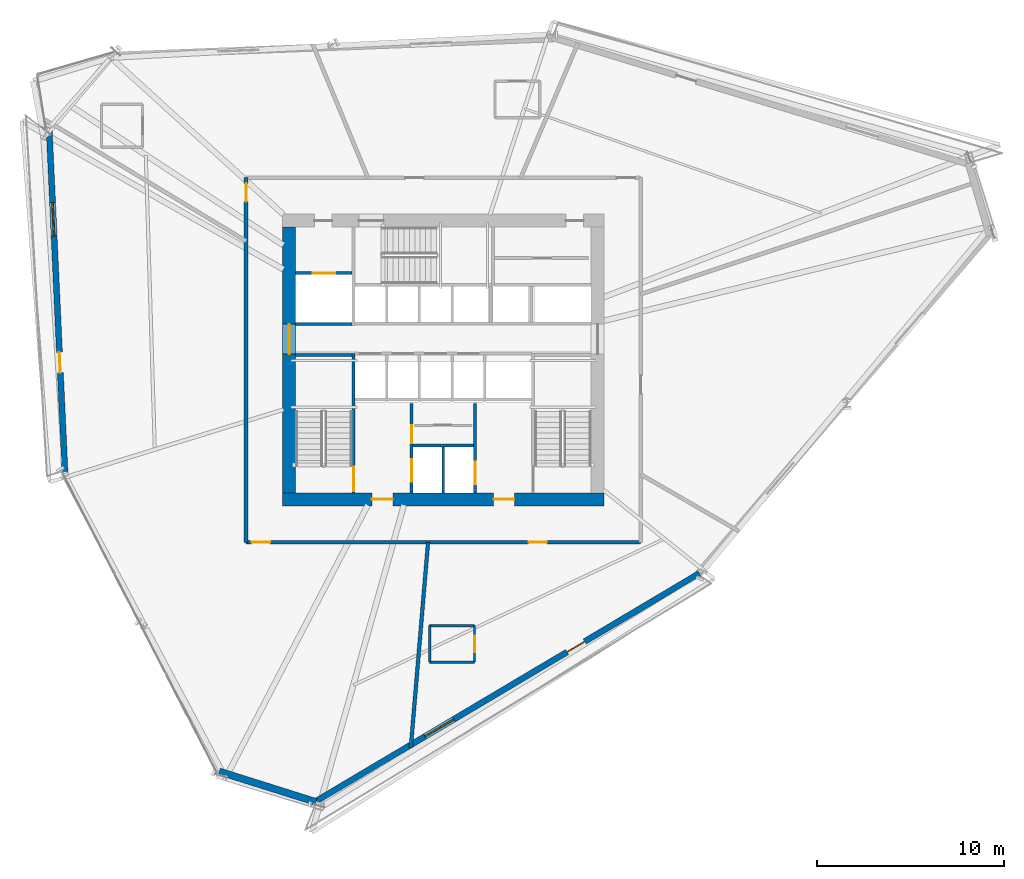
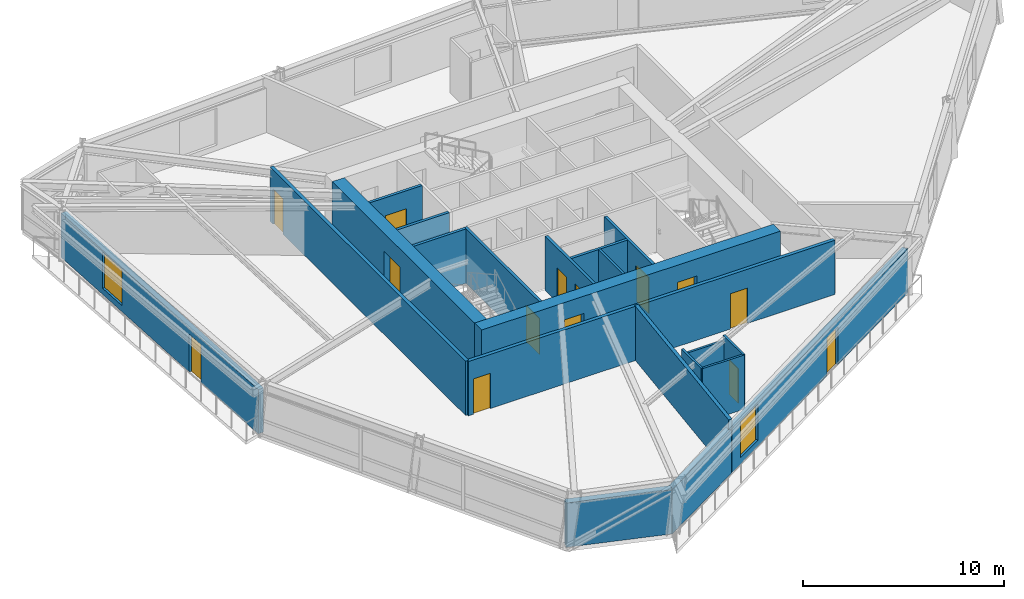
# One storey, part 13 of 19: 20 walls, 14 doors, 2 windows, 16 openings.
"""IFC4 building model written with IfcOpenShell, lengths in metres."""

from ifc_helpers import new_model, si_unit, direction, frame, frame_2d, origin, place, context, subcontext, project, spatial, rectangle, extrude, source, transform, mapped, material, layer, layer_set, type_object, type_shapes, element, fill, save


model = new_model("IFC4")

# Units and contexts
model_context = context("Model", 3, precision=1e-05, world=origin(), true_north=direction((0.0, 1.0)))
body_context = subcontext(model_context, "Body", "Model", "MODEL_VIEW")
ifc_project = project(units=[si_unit("LENGTHUNIT", "METRE"), si_unit("AREAUNIT", "SQUARE_METRE"), si_unit("VOLUMEUNIT", "CUBIC_METRE"), si_unit("PLANEANGLEUNIT", "RADIAN"), si_unit("MASSUNIT", "GRAM", prefix="KILO")], contexts=[model_context])

# Site, building, storey
site_placement = place(None, origin())
site = spatial("IfcSite", under=ifc_project, at=site_placement, CompositionType="ELEMENT")
building_placement = place(site_placement, origin())
building = spatial("IfcBuilding", under=site, at=building_placement, Name="Olszyna Solenne Hotel", CompositionType="ELEMENT")
storey_placement = place(building_placement, frame((0.0, 0.0, 102.14990234375)))
storey = spatial("IfcBuildingStorey", under=building, at=storey_placement, Name="L26", CompositionType="ELEMENT", Elevation=102.14990234375)

# Wall, openings, doors
ifc_material_1 = material(Name="Concrete C60/75", Category="concrete")
ifc_layer_1 = layer(ifc_material_1, 0.699951171875, Name="Concrete C60/75")
ifc_layer_set_1 = layer_set([ifc_layer_1], Name="Concrete C60/75")
wall_type_1 = type_object("IfcWallType", Name="WL-CR700", PredefinedType="SHEAR", material=ifc_layer_set_1)
wall_1_placement = place(storey_placement, frame((46.60009765625, 19.14990234375, 0.0), z_axis=(0.0, 0.0, 1.0), x_axis=(-1.0, 0.0, 0.0)))
wall_1 = element("IfcWall", 1, at=wall_1_placement, inside=storey, type_object=wall_type_1, Name="Core shear wall WL-CR700 CRW-L26-S", PredefinedType="SHEAR", context=body_context, shape_type="SweptSolid", body=[
    extrude(rectangle(XDim=17.2001953125, YDim=0.699951171875, at=frame_2d((8.60009765625, 0.0))), origin(), (0.0, 0.0, 1.0), 3.300048828125),
])
opening_1_placement = place(wall_1_placement, frame((4.800048828125, 0.0, 0.0)))
opening_1 = element("IfcOpeningElement", 2, at=opening_1_placement, cuts=wall_1, Name="Opening FL-L26-1", PredefinedType="OPENING", context=body_context, shape_type="SweptSolid", body=[
    extrude(rectangle(XDim=1.1201171875, YDim=2.25, at=frame_2d((0.56005859375, 1.125))), frame((0.0, 0.35986328125, 0.0), z_axis=(0.0, -1.0, 0.0), x_axis=(1.0, 0.0, 0.0)), (0.0, 0.0, 1.0), 0.719970703125),
])
opening_2_placement = place(wall_1_placement, frame((11.300048828125, 0.0, 0.0)))
opening_2 = element("IfcOpeningElement", 3, at=opening_2_placement, cuts=wall_1, Name="Opening FL-L26-2", PredefinedType="OPENING", context=body_context, shape_type="SweptSolid", body=[
    extrude(rectangle(XDim=1.1201171875, YDim=2.25, at=frame_2d((0.56005859375, 1.125))), frame((0.0, 0.35986328125, 0.0), z_axis=(0.0, -1.0, 0.0), x_axis=(1.0, 0.0, 0.0)), (0.0, 0.0, 1.0), 0.719970703125),
])
ifc_material_2 = material(Name="Steel S355J2", Category="steel")
door_type_1 = type_object("IfcDoorType", Name="DR-FL1", OperationType="NOTDEFINED", PredefinedType="DOOR", material=ifc_material_2)
shared_shape_1 = source(origin(), body_context, "Body", "SweptSolid", [
    extrude(rectangle(XDim=1.1201171875, YDim=2.25, at=frame_2d((0.56005859375, 1.125))), frame((0.0, 0.02490234375, 0.0), z_axis=(0.0, -1.0, 0.0), x_axis=(1.0, 0.0, 0.0)), (0.0, 0.0, 1.0), 0.050048828125),
])
type_shapes(door_type_1, [shared_shape_1])
door_1_placement = place(opening_1_placement, origin())
door_1 = element("IfcDoor", 4, at=door_1_placement, inside=storey, type_object=door_type_1, Name="Firefighting lift lobby smoke door FL-L26-1", OperationType="SINGLE_SWING_LEFT", OverallHeight=2.25, OverallWidth=1.1201171875, PredefinedType="DOOR", context=body_context, shape_type="MappedRepresentation", body=[
    mapped(shared_shape_1, transform((0.0, 0.0, 0.0), x_axis=(1.0, 0.0, 0.0), y_axis=(0.0, 1.0, 0.0), z_axis=(0.0, 0.0, 1.0), scale=1.0)),
])
fill(opening_1, door_1)
door_2_placement = place(opening_2_placement, origin())
door_2 = element("IfcDoor", 5, at=door_2_placement, inside=storey, type_object=door_type_1, Name="Firefighting lift lobby smoke door FL-L26-2", OperationType="SINGLE_SWING_RIGHT", OverallHeight=2.25, OverallWidth=1.1201171875, PredefinedType="DOOR", context=body_context, shape_type="MappedRepresentation", body=[
    mapped(shared_shape_1, transform((0.0, 0.0, 0.0), x_axis=(1.0, 0.0, 0.0), y_axis=(0.0, 1.0, 0.0), z_axis=(0.0, 0.0, 1.0), scale=1.0)),
])
fill(opening_2, door_2)

# Wall, opening, door
wall_2_placement = place(storey_placement, frame((29.75, 19.5, 0.0), z_axis=(0.0, 0.0, 1.0), x_axis=(0.0, 1.0, 0.0)))
wall_2 = element("IfcWall", 6, at=wall_2_placement, inside=storey, type_object=wall_type_1, Name="Core shear wall WL-CR700 CRW-L26-W", PredefinedType="SHEAR", context=body_context, shape_type="SweptSolid", body=[
    extrude(rectangle(XDim=14.199951171875, YDim=0.699951171875, at=frame_2d((7.10009765625, 0.0))), origin(), (0.0, 0.0, 1.0), 3.300048828125),
])
opening_3_placement = place(wall_2_placement, frame((7.419921875, 0.0, 0.0)))
opening_3 = element("IfcOpeningElement", 7, at=opening_3_placement, cuts=wall_2, Name="Opening LHD-L26-W", PredefinedType="OPENING", context=body_context, shape_type="SweptSolid", body=[
    extrude(rectangle(XDim=1.60009765625, YDim=2.199951171875, at=frame_2d((0.800048828125, 1.10009765625))), frame((0.0, 0.35986328125, 0.0), z_axis=(0.0, -1.0, 0.0), x_axis=(1.0, 0.0, 0.0)), (0.0, 0.0, 1.0), 0.719970703125),
])
ifc_material_3 = material(Name="Timber hardwood", Category="wood")
door_type_2 = type_object("IfcDoorType", Name="DR-CR1", OperationType="DOUBLE_DOOR_SINGLE_SWING", PredefinedType="DOOR", material=ifc_material_3)
shared_shape_2 = source(origin(), body_context, "Body", "SweptSolid", [
    extrude(rectangle(XDim=1.60009765625, YDim=2.199951171875, at=frame_2d((0.800048828125, 1.10009765625))), frame((0.0, 0.02490234375, 0.0), z_axis=(0.0, -1.0, 0.0), x_axis=(1.0, 0.0, 0.0)), (0.0, 0.0, 1.0), 0.050048828125),
])
type_shapes(door_type_2, [shared_shape_2])
door_3_placement = place(opening_3_placement, origin())
door_3 = element("IfcDoor", 8, at=door_3_placement, inside=storey, type_object=door_type_2, Name="Passenger lift lobby West fire door LHD-L26-W", OperationType="DOUBLE_DOOR_SINGLE_SWING", OverallHeight=2.199951171875, OverallWidth=1.60009765625, PredefinedType="DOOR", context=body_context, shape_type="MappedRepresentation", body=[
    mapped(shared_shape_2, transform((0.0, 0.0, 0.0), x_axis=(1.0, 0.0, 0.0), y_axis=(0.0, 1.0, 0.0), z_axis=(0.0, 0.0, 1.0), scale=1.0)),
])
fill(opening_3, door_3)

# Wall, openings, door, window
ifc_material_4 = material(Name="Precast concrete C45/55", Category="concrete")
ifc_layer_2 = layer(ifc_material_4, 0.320068359375, Name="Precast concrete C45/55")
ifc_layer_set_2 = layer_set([ifc_layer_2], Name="Precast concrete C45/55")
wall_type_2 = type_object("IfcWallType", Name="WL-EX320", PredefinedType="SOLIDWALL", material=ifc_layer_set_2)
wall_3_placement = place(storey_placement, frame((51.69140625, 15.19384765625, 0.0), z_axis=(0.0, 0.0, 1.0), x_axis=(-0.859633504472, -0.510911184052, 0.0)))
wall_3 = element("IfcWall", 9, at=wall_3_placement, inside=storey, type_object=wall_type_2, Name="Exterior terracotta-precast frame wall WL-EX320 EW-L26-01", PredefinedType="SOLIDWALL", context=body_context, shape_type="SweptSolid", body=[
    extrude(rectangle(XDim=24.018310546875, YDim=0.320068359375, at=frame_2d((12.00927734375, 0.0))), origin(), (0.0, 0.0, 1.0), 2.692138671875),
])
opening_4_placement = place(wall_3_placement, frame((7.135986328125, 0.0, 0.0)))
opening_4 = element("IfcOpeningElement", 10, at=opening_4_placement, cuts=wall_3, Name="Opening LDG-L26-3", PredefinedType="OPENING", context=body_context, shape_type="SweptSolid", body=[
    extrude(rectangle(XDim=1.10009765625, YDim=2.300048828125, at=frame_2d((0.550048828125, 1.14990234375))), frame((0.0, 0.169921875, 0.0), z_axis=(0.0, -1.0, 0.0), x_axis=(1.0, 0.0, 0.0)), (0.0, 0.0, 1.0), 0.340087890625),
])
opening_5_placement = place(wall_3_placement, frame((15.27392578125, 0.0, 0.3720703125)))
opening_5 = element("IfcOpeningElement", 11, at=opening_5_placement, cuts=wall_3, Name="Opening WN-L26-140", PredefinedType="OPENING", context=body_context, shape_type="SweptSolid", body=[
    extrude(rectangle(XDim=1.800048828125, YDim=2.199951171875, at=frame_2d((0.89990234375, 1.10009765625))), frame((0.0, 0.169921875, 0.0), z_axis=(0.0, -1.0, 0.0), x_axis=(1.0, 0.0, 0.0)), (0.0, 0.0, 1.0), 0.340087890625),
])
ifc_material_5 = material(Name="Anodised bronze aluminium", Category="aluminium")
door_type_3 = type_object("IfcDoorType", Name="DR-LG1", OperationType="NOTDEFINED", PredefinedType="DOOR", material=ifc_material_5)
shared_shape_3 = source(origin(), body_context, "Body", "SweptSolid", [
    extrude(rectangle(XDim=1.10009765625, YDim=2.300048828125, at=frame_2d((0.550048828125, 1.14990234375))), frame((0.0, 0.02490234375, 0.0), z_axis=(0.0, -1.0, 0.0), x_axis=(1.0, 0.0, 0.0)), (0.0, 0.0, 1.0), 0.050048828125),
])
type_shapes(door_type_3, [shared_shape_3])
door_4_placement = place(opening_4_placement, origin())
door_4 = element("IfcDoor", 12, at=door_4_placement, inside=storey, type_object=door_type_3, Name="Exterior loggia balcony door DR-LG1 LDG-L26-3", OperationType="SINGLE_SWING_RIGHT", OverallHeight=2.300048828125, OverallWidth=1.10009765625, PredefinedType="DOOR", context=body_context, shape_type="MappedRepresentation", body=[
    mapped(shared_shape_3, transform((0.0, 0.0, 0.0), x_axis=(1.0, 0.0, 0.0), y_axis=(0.0, 1.0, 0.0), z_axis=(0.0, 0.0, 1.0), scale=1.0)),
])
fill(opening_4, door_4)
ifc_material_6 = material(Name="Low-E triple glazing", Category="glass")
window_type = type_object("IfcWindowType", Name="WN-HT1", PartitioningType="SINGLE_PANEL", PredefinedType="WINDOW", material=ifc_material_6)
shared_shape_4 = source(origin(), body_context, "Body", "SweptSolid", [
    extrude(rectangle(XDim=1.800048828125, YDim=2.199951171875, at=frame_2d((0.89990234375, 1.10009765625))), frame((0.0, 0.030029296875, 0.0), z_axis=(0.0, -1.0, 0.0), x_axis=(1.0, 0.0, 0.0)), (0.0, 0.0, 1.0), 0.06005859375),
])
type_shapes(window_type, [shared_shape_4])
window_1_placement = place(opening_5_placement, origin())
window_1 = element("IfcWindow", 13, at=window_1_placement, inside=storey, type_object=window_type, Name="Loggia room window WN-HT1 WN-L26-140", OverallHeight=2.199951171875, OverallWidth=1.800048828125, PartitioningType="SINGLE_PANEL", PredefinedType="WINDOW", context=body_context, shape_type="MappedRepresentation", body=[
    mapped(shared_shape_4, transform((0.0, 0.0, 0.0), x_axis=(1.0, 0.0, 0.0), y_axis=(0.0, 1.0, 0.0), z_axis=(0.0, 0.0, 1.0), scale=1.0)),
])
fill(opening_5, window_1)

wall_4_placement = place(storey_placement, frame((17.76220703125, 20.63671875, 0.0), z_axis=(0.0, 0.0, 1.0), x_axis=(-0.04595581603, 0.998943473362, 0.0)))
wall_4 = element("IfcWall", 14, at=wall_4_placement, inside=storey, type_object=wall_type_2, Name="Exterior terracotta-precast frame wall WL-EX320 EW-L26-04", PredefinedType="SOLIDWALL", context=body_context, shape_type="SweptSolid", body=[
    extrude(rectangle(XDim=18.2431640625, YDim=0.320068359375, at=frame_2d((9.12158203125, 0.0))), origin(), (0.0, 0.0, 1.0), 2.692138671875),
])
opening_6_placement = place(wall_4_placement, frame((5.2880859375, 0.0, 0.0)))
opening_6 = element("IfcOpeningElement", 15, at=opening_6_placement, cuts=wall_4, Name="Opening LDG-L26-2", PredefinedType="OPENING", context=body_context, shape_type="SweptSolid", body=[
    extrude(rectangle(XDim=1.10009765625, YDim=2.300048828125, at=frame_2d((0.550048828125, 1.14990234375))), frame((0.0, 0.169921875, 0.0), z_axis=(0.0, -1.0, 0.0), x_axis=(1.0, 0.0, 0.0)), (0.0, 0.0, 1.0), 0.340087890625),
])
opening_7_placement = place(wall_4_placement, frame((12.60009765625, 0.0, 0.3720703125)))
opening_7 = element("IfcOpeningElement", 16, at=opening_7_placement, cuts=wall_4, Name="Opening WN-L26-141", PredefinedType="OPENING", context=body_context, shape_type="SweptSolid", body=[
    extrude(rectangle(XDim=1.800048828125, YDim=2.199951171875, at=frame_2d((0.89990234375, 1.10009765625))), frame((0.0, 0.169921875, 0.0), z_axis=(0.0, -1.0, 0.0), x_axis=(1.0, 0.0, 0.0)), (0.0, 0.0, 1.0), 0.340087890625),
])
door_5_placement = place(opening_6_placement, origin())
door_5 = element("IfcDoor", 17, at=door_5_placement, inside=storey, type_object=door_type_3, Name="Exterior loggia balcony door DR-LG1 LDG-L26-2", OperationType="SINGLE_SWING_LEFT", OverallHeight=2.300048828125, OverallWidth=1.10009765625, PredefinedType="DOOR", context=body_context, shape_type="MappedRepresentation", body=[
    mapped(shared_shape_3, transform((0.0, 0.0, 0.0), x_axis=(1.0, 0.0, 0.0), y_axis=(0.0, 1.0, 0.0), z_axis=(0.0, 0.0, 1.0), scale=1.0)),
])
fill(opening_6, door_5)
window_2_placement = place(opening_7_placement, origin())
window_2 = element("IfcWindow", 18, at=window_2_placement, inside=storey, type_object=window_type, Name="Loggia room window WN-HT1 WN-L26-141", OverallHeight=2.199951171875, OverallWidth=1.800048828125, PartitioningType="SINGLE_PANEL", PredefinedType="WINDOW", context=body_context, shape_type="MappedRepresentation", body=[
    mapped(shared_shape_4, transform((0.0, 0.0, 0.0), x_axis=(1.0, 0.0, 0.0), y_axis=(0.0, 1.0, 0.0), z_axis=(0.0, 0.0, 1.0), scale=1.0)),
])
fill(opening_7, window_2)

# Walls
ifc_material_7 = material(Name="Terracotta cladding on precast concrete C45/55", Category="masonry")
ifc_layer_3 = layer(ifc_material_7, 0.3798828125, Name="Terracotta cladding on precast concrete C45/55")
ifc_layer_set_3 = layer_set([ifc_layer_3], Name="Terracotta cladding on precast concrete C45/55")
wall_type_3 = type_object("IfcWallType", Name="WL-EX380", PredefinedType="SOLIDWALL", material=ifc_layer_set_3)
wall_5_placement = place(storey_placement, frame((31.183349609375, 2.96630859375, 0.0), z_axis=(0.0, 0.0, 1.0), x_axis=(-0.953718137142, 0.300702036718, 0.0)))
element("IfcWall", 19, at=wall_5_placement, inside=storey, type_object=wall_type_3, Name="Exterior terracotta-precast frame wall WL-EX380 EW-L26-02", PredefinedType="SOLIDWALL", context=body_context, shape_type="SweptSolid", body=[
    extrude(rectangle(XDim=5.416259765625, YDim=0.3798828125, at=frame_2d((2.7080078125, 0.0))), origin(), (0.0, 0.0, 1.0), 2.692138671875),
])
ifc_material_8 = material(Name="Acoustic gypsum partition", Category="gypsum")
ifc_layer_4 = layer(ifc_material_8, 0.125, Name="Acoustic gypsum partition")
ifc_layer_set_4 = layer_set([ifc_layer_4], Name="Acoustic gypsum partition")
wall_type_4 = type_object("IfcWallType", Name="WL-PT125", PredefinedType="PARTITIONING", material=ifc_layer_set_4)
wall_6_placement = place(storey_placement, frame((38.0, 19.5, 0.0), z_axis=(0.0, 0.0, 1.0), x_axis=(0.0, 1.0, 0.0)))
element("IfcWall", 20, at=wall_6_placement, inside=storey, type_object=wall_type_4, Name="Core shaft compartment wall CW-L26-FFM", PredefinedType="PARTITIONING", context=body_context, shape_type="SweptSolid", body=[
    extrude(rectangle(XDim=2.4599609375, YDim=0.125, at=frame_2d((1.22998046875, 0.0))), origin(), (0.0, 0.0, 1.0), 3.300048828125),
])

# Wall, opening, door
wall_7_placement = place(storey_placement, frame((39.666015625, 10.44091796875, 0.0), z_axis=(0.0, 0.0, 1.0), x_axis=(0.0, 1.0, 0.0)))
wall_7 = element("IfcWall", 21, at=wall_7_placement, inside=storey, type_object=wall_type_4, Name="Interior acoustic partition WL-PT125 PW-L26-1501", PredefinedType="PARTITIONING", context=body_context, shape_type="SweptSolid", body=[
    extrude(rectangle(XDim=1.9501953125, YDim=0.125, at=frame_2d((0.97509765625, 0.0))), origin(), (0.0, 0.0, 1.0), 3.300048828125),
])
opening_8_placement = place(wall_7_placement, frame((0.52490234375, 0.0, 0.0)))
opening_8 = element("IfcOpeningElement", 22, at=opening_8_placement, cuts=wall_7, Name="Opening DR-L26-0353", PredefinedType="OPENING", context=body_context, shape_type="SweptSolid", body=[
    extrude(rectangle(XDim=0.89990234375, YDim=2.10009765625, at=frame_2d((0.449951171875, 1.050048828125))), frame((0.0, 0.072509765625, 0.0), z_axis=(0.0, -1.0, 0.0), x_axis=(1.0, 0.0, 0.0)), (0.0, 0.0, 1.0), 0.14501953125),
])
door_type_4 = type_object("IfcDoorType", Name="DR-WC1", OperationType="NOTDEFINED", PredefinedType="DOOR", material=ifc_material_3)
shared_shape_5 = source(origin(), body_context, "Body", "SweptSolid", [
    extrude(rectangle(XDim=0.89990234375, YDim=2.10009765625, at=frame_2d((0.449951171875, 1.050048828125))), frame((0.0, 0.02490234375, 0.0), z_axis=(0.0, -1.0, 0.0), x_axis=(1.0, 0.0, 0.0)), (0.0, 0.0, 1.0), 0.050048828125),
])
type_shapes(door_type_4, [shared_shape_5])
door_6_placement = place(opening_8_placement, origin())
door_6 = element("IfcDoor", 23, at=door_6_placement, inside=storey, type_object=door_type_4, Name="En-Suite Bathroom Door DR-L26-0353", OperationType="SINGLE_SWING_LEFT", OverallHeight=2.10009765625, OverallWidth=0.89990234375, PredefinedType="DOOR", context=body_context, shape_type="MappedRepresentation", body=[
    mapped(shared_shape_5, transform((0.0, 0.0, 0.0), x_axis=(1.0, 0.0, 0.0), y_axis=(0.0, 1.0, 0.0), z_axis=(0.0, 0.0, 1.0), scale=1.0)),
])
fill(opening_8, door_6)

# Walls
wall_8_placement = place(storey_placement, frame((39.666015625, 12.39111328125, 0.0), z_axis=(0.0, 0.0, 1.0), x_axis=(-1.0, 0.0, 0.0)))
element("IfcWall", 24, at=wall_8_placement, inside=storey, type_object=wall_type_4, Name="Interior acoustic partition WL-PT125 PW-L26-1502", PredefinedType="PARTITIONING", context=body_context, shape_type="SweptSolid", body=[
    extrude(rectangle(XDim=2.39990234375, YDim=0.125, at=frame_2d((1.199951171875, 0.0))), origin(), (0.0, 0.0, 1.0), 2.985107421875),
])
wall_9_placement = place(storey_placement, frame((37.26611328125, 12.39111328125, 0.0), z_axis=(0.0, 0.0, 1.0), x_axis=(0.0, -1.0, 0.0)))
element("IfcWall", 25, at=wall_9_placement, inside=storey, type_object=wall_type_4, Name="Interior acoustic partition WL-PT125 PW-L26-1503", PredefinedType="PARTITIONING", context=body_context, shape_type="SweptSolid", body=[
    extrude(rectangle(XDim=1.9501953125, YDim=0.125, at=frame_2d((0.97509765625, 0.0))), origin(), (0.0, 0.0, 1.0), 3.300048828125),
])
wall_10_placement = place(storey_placement, frame((37.26611328125, 10.44091796875, 0.0), z_axis=(0.0, 0.0, 1.0), x_axis=(1.0, 0.0, 0.0)))
element("IfcWall", 26, at=wall_10_placement, inside=storey, type_object=wall_type_4, Name="Interior acoustic partition WL-PT125 PW-L26-1504", PredefinedType="PARTITIONING", context=body_context, shape_type="SweptSolid", body=[
    extrude(rectangle(XDim=2.39990234375, YDim=0.125, at=frame_2d((1.199951171875, 0.0))), origin(), (0.0, 0.0, 1.0), 3.300048828125),
])

# Wall, opening, door
ifc_layer_5 = layer(ifc_material_8, 0.159912109375, Name="Acoustic gypsum partition")
ifc_layer_set_5 = layer_set([ifc_layer_5], Name="Acoustic gypsum partition")
wall_type_5 = type_object("IfcWallType", Name="WL-PT160", PredefinedType="PARTITIONING", material=ifc_layer_set_5)
wall_11_placement = place(storey_placement, frame((33.199951171875, 19.5, 0.0), z_axis=(0.0, 0.0, 1.0), x_axis=(0.0, 1.0, 0.0)))
wall_11 = element("IfcWall", 27, at=wall_11_placement, inside=storey, type_object=wall_type_5, Name="Core shaft compartment wall CW-L26-ST1E", PredefinedType="PARTITIONING", context=body_context, shape_type="SweptSolid", body=[
    extrude(rectangle(XDim=7.4599609375, YDim=0.159912109375, at=frame_2d((3.72998046875, 0.0))), origin(), (0.0, 0.0, 1.0), 3.300048828125),
])
opening_9_placement = place(wall_11_placement, frame((0.080078125, 0.0, 0.0)))
opening_9 = element("IfcOpeningElement", 28, at=opening_9_placement, cuts=wall_11, Name="Opening STD-L26-01", PredefinedType="OPENING", context=body_context, shape_type="SweptSolid", body=[
    extrude(rectangle(XDim=1.320068359375, YDim=2.199951171875, at=frame_2d((0.66015625, 1.10009765625))), frame((0.0, 0.08984375, 0.0), z_axis=(0.0, -1.0, 0.0), x_axis=(1.0, 0.0, 0.0)), (0.0, 0.0, 1.0), 0.179931640625),
])
door_type_5 = type_object("IfcDoorType", Name="DR-ST1", OperationType="NOTDEFINED", PredefinedType="DOOR", material=ifc_material_2)
shared_shape_6 = source(origin(), body_context, "Body", "SweptSolid", [
    extrude(rectangle(XDim=1.320068359375, YDim=2.199951171875, at=frame_2d((0.66015625, 1.10009765625))), frame((0.0, 0.02490234375, 0.0), z_axis=(0.0, -1.0, 0.0), x_axis=(1.0, 0.0, 0.0)), (0.0, 0.0, 1.0), 0.050048828125),
])
type_shapes(door_type_5, [shared_shape_6])
door_7_placement = place(opening_9_placement, origin())
door_7 = element("IfcDoor", 29, at=door_7_placement, inside=storey, type_object=door_type_5, Name="Pressurised exit stair ST1 fire door STD-L26-01", OperationType="SINGLE_SWING_LEFT", OverallHeight=2.199951171875, OverallWidth=1.320068359375, PredefinedType="DOOR", context=body_context, shape_type="MappedRepresentation", body=[
    mapped(shared_shape_6, transform((0.0, 0.0, 0.0), x_axis=(1.0, 0.0, 0.0), y_axis=(0.0, 1.0, 0.0), z_axis=(0.0, 0.0, 1.0), scale=1.0)),
])
fill(opening_9, door_7)

# Wall
wall_12_placement = place(storey_placement, frame((30.10009765625, 26.8798828125, 0.0), z_axis=(0.0, 0.0, 1.0), x_axis=(1.0, 0.0, 0.0)))
element("IfcWall", 30, at=wall_12_placement, inside=storey, type_object=wall_type_5, Name="Core shaft compartment wall CW-L26-ST1N", PredefinedType="PARTITIONING", context=body_context, shape_type="SweptSolid", body=[
    extrude(rectangle(XDim=3.02001953125, YDim=0.159912109375, at=frame_2d((1.510009765625, 0.0))), origin(), (0.0, 0.0, 1.0), 3.300048828125),
])

# Wall, openings, doors
wall_13_placement = place(storey_placement, frame((36.300048828125, 19.5, 0.0), z_axis=(0.0, 0.0, 1.0), x_axis=(0.0, 1.0, 0.0)))
wall_13 = element("IfcWall", 31, at=wall_13_placement, inside=storey, type_object=wall_type_5, Name="Core shaft compartment wall CW-L26-FF1W", PredefinedType="PARTITIONING", context=body_context, shape_type="SweptSolid", body=[
    extrude(rectangle(XDim=4.780029296875, YDim=0.159912109375, at=frame_2d((2.39013671875, 0.0))), origin(), (0.0, 0.0, 1.0), 3.300048828125),
])
opening_10_placement = place(wall_13_placement, frame((0.60009765625, 0.0, 0.0)))
opening_10 = element("IfcOpeningElement", 32, at=opening_10_placement, cuts=wall_13, Name="Opening LD-L26-FF1", PredefinedType="OPENING", context=body_context, shape_type="SweptSolid", body=[
    extrude(rectangle(XDim=1.199951171875, YDim=2.199951171875, at=frame_2d((0.60009765625, 1.10009765625))), frame((0.0, 0.08984375, 0.0), z_axis=(0.0, -1.0, 0.0), x_axis=(1.0, 0.0, 0.0)), (0.0, 0.0, 1.0), 0.179931640625),
])
opening_11_placement = place(wall_13_placement, frame((2.64990234375, 0.0, 0.0)))
opening_11 = element("IfcOpeningElement", 33, at=opening_11_placement, cuts=wall_13, Name="Opening SVD-L26-SMK", PredefinedType="OPENING", context=body_context, shape_type="SweptSolid", body=[
    extrude(rectangle(XDim=0.949951171875, YDim=2.10009765625, at=frame_2d((0.47509765625, 1.050048828125))), frame((0.0, 0.08984375, 0.0), z_axis=(0.0, -1.0, 0.0), x_axis=(1.0, 0.0, 0.0)), (0.0, 0.0, 1.0), 0.179931640625),
])
door_type_6 = type_object("IfcDoorType", Name="DR-SV1", OperationType="NOTDEFINED", PredefinedType="DOOR", material=ifc_material_2)
shared_shape_7 = source(origin(), body_context, "Body", "SweptSolid", [
    extrude(rectangle(XDim=0.949951171875, YDim=2.10009765625, at=frame_2d((0.47509765625, 1.050048828125))), frame((0.0, 0.02490234375, 0.0), z_axis=(0.0, -1.0, 0.0), x_axis=(1.0, 0.0, 0.0)), (0.0, 0.0, 1.0), 0.050048828125),
])
type_shapes(door_type_6, [shared_shape_7])
door_8_placement = place(opening_11_placement, origin())
door_8 = element("IfcDoor", 34, at=door_8_placement, inside=storey, type_object=door_type_6, Name="Valet and core service room door SVD-L26-SMK", OperationType="SINGLE_SWING_LEFT", OverallHeight=2.10009765625, OverallWidth=0.949951171875, PredefinedType="DOOR", context=body_context, shape_type="MappedRepresentation", body=[
    mapped(shared_shape_7, transform((0.0, 0.0, 0.0), x_axis=(1.0, 0.0, 0.0), y_axis=(0.0, 1.0, 0.0), z_axis=(0.0, 0.0, 1.0), scale=1.0)),
])
fill(opening_11, door_8)
door_type_7 = type_object("IfcDoorType", Name="LD-FF1", OperationType="DOUBLE_DOOR_SLIDING", PredefinedType="DOOR", material=ifc_material_2)
shared_shape_8 = source(origin(), body_context, "Body", "SweptSolid", [
    extrude(rectangle(XDim=1.199951171875, YDim=2.199951171875, at=frame_2d((0.60009765625, 1.10009765625))), frame((0.0, 0.02490234375, 0.0), z_axis=(0.0, -1.0, 0.0), x_axis=(1.0, 0.0, 0.0)), (0.0, 0.0, 1.0), 0.050048828125),
])
type_shapes(door_type_7, [shared_shape_8])
door_9_placement = place(opening_10_placement, origin())
door_9 = element("IfcDoor", 35, at=door_9_placement, inside=storey, type_object=door_type_7, Name="Firefighters lift FF1 sliding landing door LD-L26-FF1", OperationType="DOUBLE_DOOR_SLIDING", OverallHeight=2.199951171875, OverallWidth=1.199951171875, PredefinedType="DOOR", context=body_context, shape_type="MappedRepresentation", body=[
    mapped(shared_shape_8, transform((0.0, 0.0, 0.0), x_axis=(1.0, 0.0, 0.0), y_axis=(0.0, 1.0, 0.0), z_axis=(0.0, 0.0, 1.0), scale=1.0)),
])
fill(opening_10, door_9)

# Wall, opening, door
wall_14_placement = place(storey_placement, frame((39.699951171875, 24.280029296875, 0.0), z_axis=(0.0, 0.0, 1.0), x_axis=(0.0, -1.0, 0.0)))
wall_14 = element("IfcWall", 36, at=wall_14_placement, inside=storey, type_object=wall_type_5, Name="Core shaft compartment wall CW-L26-FF2E", PredefinedType="PARTITIONING", context=body_context, shape_type="SweptSolid", body=[
    extrude(rectangle(XDim=4.780029296875, YDim=0.159912109375, at=frame_2d((2.39013671875, 0.0))), origin(), (0.0, 0.0, 1.0), 3.300048828125),
])
opening_12_placement = place(wall_14_placement, frame((3.1201171875, 0.0, 0.0)))
opening_12 = element("IfcOpeningElement", 37, at=opening_12_placement, cuts=wall_14, Name="Opening LD-L26-FF2", PredefinedType="OPENING", context=body_context, shape_type="SweptSolid", body=[
    extrude(rectangle(XDim=1.199951171875, YDim=2.199951171875, at=frame_2d((0.60009765625, 1.10009765625))), frame((0.0, 0.08984375, 0.0), z_axis=(0.0, -1.0, 0.0), x_axis=(1.0, 0.0, 0.0)), (0.0, 0.0, 1.0), 0.179931640625),
])
door_10_placement = place(opening_12_placement, origin())
door_10 = element("IfcDoor", 38, at=door_10_placement, inside=storey, type_object=door_type_7, Name="Firefighters lift FF2 sliding landing door LD-L26-FF2", OperationType="DOUBLE_DOOR_SLIDING", OverallHeight=2.199951171875, OverallWidth=1.199951171875, PredefinedType="DOOR", context=body_context, shape_type="MappedRepresentation", body=[
    mapped(shared_shape_8, transform((0.0, 0.0, 0.0), x_axis=(1.0, 0.0, 0.0), y_axis=(0.0, 1.0, 0.0), z_axis=(0.0, 0.0, 1.0), scale=1.0)),
])
fill(opening_12, door_10)

# Walls
wall_15_placement = place(storey_placement, frame((36.3798828125, 22.02001953125, 0.0), z_axis=(0.0, 0.0, 1.0), x_axis=(1.0, 0.0, 0.0)))
element("IfcWall", 39, at=wall_15_placement, inside=storey, type_object=wall_type_5, Name="Core shaft compartment wall CW-L26-FFN", PredefinedType="PARTITIONING", context=body_context, shape_type="SweptSolid", body=[
    extrude(rectangle(XDim=3.240234375, YDim=0.159912109375, at=frame_2d((1.6201171875, 0.0))), origin(), (0.0, 0.0, 1.0), 3.300048828125),
])
wall_16_placement = place(storey_placement, frame((30.10009765625, 28.52001953125, 0.0), z_axis=(0.0, 0.0, 1.0), x_axis=(1.0, 0.0, 0.0)))
element("IfcWall", 40, at=wall_16_placement, inside=storey, type_object=wall_type_5, Name="Core shaft compartment wall CW-L26-SV1S", PredefinedType="PARTITIONING", context=body_context, shape_type="SweptSolid", body=[
    extrude(rectangle(XDim=3.02001953125, YDim=0.159912109375, at=frame_2d((1.510009765625, 0.0))), origin(), (0.0, 0.0, 1.0), 3.300048828125),
])

# Wall, opening, door
wall_17_placement = place(storey_placement, frame((30.10009765625, 31.239990234375, 0.0), z_axis=(0.0, 0.0, 1.0), x_axis=(1.0, 0.0, 0.0)))
wall_17 = element("IfcWall", 41, at=wall_17_placement, inside=storey, type_object=wall_type_5, Name="Core shaft compartment wall CW-L26-SV1N", PredefinedType="PARTITIONING", context=body_context, shape_type="SweptSolid", body=[
    extrude(rectangle(XDim=3.02001953125, YDim=0.159912109375, at=frame_2d((1.510009765625, 0.0))), origin(), (0.0, 0.0, 1.0), 3.300048828125),
])
opening_13_placement = place(wall_17_placement, frame((0.909912109375, 0.0, 0.0)))
opening_13 = element("IfcOpeningElement", 42, at=opening_13_placement, cuts=wall_17, Name="Opening LD-L26-SV1", PredefinedType="OPENING", context=body_context, shape_type="SweptSolid", body=[
    extrude(rectangle(XDim=1.199951171875, YDim=2.199951171875, at=frame_2d((0.60009765625, 1.10009765625))), frame((0.0, 0.08984375, 0.0), z_axis=(0.0, -1.0, 0.0), x_axis=(1.0, 0.0, 0.0)), (0.0, 0.0, 1.0), 0.179931640625),
])
door_11_placement = place(opening_13_placement, origin())
door_11 = element("IfcDoor", 43, at=door_11_placement, inside=storey, type_object=door_type_7, Name="Service lift SV1 sliding landing door LD-L26-SV1", OperationType="DOUBLE_DOOR_SLIDING", OverallHeight=2.199951171875, OverallWidth=1.199951171875, PredefinedType="DOOR", context=body_context, shape_type="MappedRepresentation", body=[
    mapped(shared_shape_8, transform((0.0, 0.0, 0.0), x_axis=(1.0, 0.0, 0.0), y_axis=(0.0, 1.0, 0.0), z_axis=(0.0, 0.0, 1.0), scale=1.0)),
])
fill(opening_13, door_11)

# Wall
ifc_layer_6 = layer(ifc_material_8, 0.199951171875, Name="Acoustic gypsum partition")
ifc_layer_set_6 = layer_set([ifc_layer_6], Name="Acoustic gypsum partition")
wall_type_6 = type_object("IfcWallType", Name="WL-PT200", PredefinedType="PARTITIONING", material=ifc_layer_set_6)
wall_18_placement = place(storey_placement, frame((37.179931640625, 16.85009765625, 0.0), z_axis=(0.0, 0.0, 1.0), x_axis=(-0.083810010625, -0.996481752025, 0.0)))
element("IfcWall", 44, at=wall_18_placement, inside=storey, type_object=wall_type_6, Name="Interior acoustic partition WL-PT200 PW-L26-1496", PredefinedType="PARTITIONING", context=body_context, shape_type="SweptSolid", body=[
    extrude(rectangle(XDim=11.02001953125, YDim=0.199951171875, at=frame_2d((5.510009765625, 0.0))), origin(), (0.0, 0.0, 1.0), 3.300048828125),
])

# Wall, openings, doors
wall_19_placement = place(storey_placement, frame((27.449951171875, 16.85009765625, 0.0), z_axis=(0.0, 0.0, 1.0), x_axis=(1.0, 0.0, 0.0)))
wall_19 = element("IfcWall", 45, at=wall_19_placement, inside=storey, type_object=wall_type_6, Name="Interior acoustic partition WL-PT200 PW-L26-1513", PredefinedType="PARTITIONING", context=body_context, shape_type="SweptSolid", body=[
    extrude(rectangle(XDim=21.10009765625, YDim=0.199951171875, at=frame_2d((10.550048828125, 0.0))), origin(), (0.0, 0.0, 1.0), 3.300048828125),
])
opening_14_placement = place(wall_19_placement, frame((0.300048828125, 0.0, 0.0)))
opening_14 = element("IfcOpeningElement", 46, at=opening_14_placement, cuts=wall_19, Name="Opening DR-L26-0356", PredefinedType="OPENING", context=body_context, shape_type="SweptSolid", body=[
    extrude(rectangle(XDim=0.97998046875, YDim=2.14990234375, at=frame_2d((0.489990234375, 1.074951171875))), frame((0.0, 0.10986328125, 0.0), z_axis=(0.0, -1.0, 0.0), x_axis=(1.0, 0.0, 0.0)), (0.0, 0.0, 1.0), 0.219970703125),
])
opening_15_placement = place(wall_19_placement, frame((15.10302734375, 0.0, 0.0)))
opening_15 = element("IfcOpeningElement", 47, at=opening_15_placement, cuts=wall_19, Name="Opening DR-L26-0357", PredefinedType="OPENING", context=body_context, shape_type="SweptSolid", body=[
    extrude(rectangle(XDim=0.97998046875, YDim=2.14990234375, at=frame_2d((0.489990234375, 1.074951171875))), frame((0.0, 0.10986328125, 0.0), z_axis=(0.0, -1.0, 0.0), x_axis=(1.0, 0.0, 0.0)), (0.0, 0.0, 1.0), 0.219970703125),
])
door_type_8 = type_object("IfcDoorType", Name="DR-RM1", OperationType="NOTDEFINED", PredefinedType="DOOR", material=ifc_material_3)
shared_shape_9 = source(origin(), body_context, "Body", "SweptSolid", [
    extrude(rectangle(XDim=0.97998046875, YDim=2.14990234375, at=frame_2d((0.489990234375, 1.074951171875))), frame((0.0, 0.02490234375, 0.0), z_axis=(0.0, -1.0, 0.0), x_axis=(1.0, 0.0, 0.0)), (0.0, 0.0, 1.0), 0.050048828125),
])
type_shapes(door_type_8, [shared_shape_9])
door_12_placement = place(opening_14_placement, origin())
door_12 = element("IfcDoor", 48, at=door_12_placement, inside=storey, type_object=door_type_8, Name="Boutique Art Gallery Entrance Door DR-L26-0356", OperationType="SINGLE_SWING_LEFT", OverallHeight=2.14990234375, OverallWidth=0.97998046875, PredefinedType="DOOR", context=body_context, shape_type="MappedRepresentation", body=[
    mapped(shared_shape_9, transform((0.0, 0.0, 0.0), x_axis=(1.0, 0.0, 0.0), y_axis=(0.0, 1.0, 0.0), z_axis=(0.0, 0.0, 1.0), scale=1.0)),
])
fill(opening_14, door_12)
door_13_placement = place(opening_15_placement, origin())
door_13 = element("IfcDoor", 49, at=door_13_placement, inside=storey, type_object=door_type_8, Name="Corner Panorama Suite Entrance Door DR-L26-0357", OperationType="SINGLE_SWING_RIGHT", OverallHeight=2.14990234375, OverallWidth=0.97998046875, PredefinedType="DOOR", context=body_context, shape_type="MappedRepresentation", body=[
    mapped(shared_shape_9, transform((0.0, 0.0, 0.0), x_axis=(1.0, 0.0, 0.0), y_axis=(0.0, 1.0, 0.0), z_axis=(0.0, 0.0, 1.0), scale=1.0)),
])
fill(opening_15, door_13)

# Wall, opening, door
wall_20_placement = place(storey_placement, frame((27.449951171875, 16.85009765625, 0.0), z_axis=(0.0, 0.0, 1.0), x_axis=(0.0, 1.0, 0.0)))
wall_20 = element("IfcWall", 50, at=wall_20_placement, inside=storey, type_object=wall_type_6, Name="Interior acoustic partition WL-PT200 PW-L26-1514", PredefinedType="PARTITIONING", context=body_context, shape_type="SweptSolid", body=[
    extrude(rectangle(XDim=19.5, YDim=0.199951171875, at=frame_2d((9.75, 0.0))), origin(), (0.0, 0.0, 1.0), 3.300048828125),
])
opening_16_placement = place(wall_20_placement, frame((18.219970703125, 0.0, 0.0)))
opening_16 = element("IfcOpeningElement", 51, at=opening_16_placement, cuts=wall_20, Name="Opening DR-L26-0358", PredefinedType="OPENING", context=body_context, shape_type="SweptSolid", body=[
    extrude(rectangle(XDim=0.97998046875, YDim=2.14990234375, at=frame_2d((0.489990234375, 1.074951171875))), frame((0.0, 0.10986328125, 0.0), z_axis=(0.0, -1.0, 0.0), x_axis=(1.0, 0.0, 0.0)), (0.0, 0.0, 1.0), 0.219970703125),
])
door_14_placement = place(opening_16_placement, origin())
door_14 = element("IfcDoor", 52, at=door_14_placement, inside=storey, type_object=door_type_8, Name="Executive Reading Salon Entrance Door DR-L26-0358", OperationType="SINGLE_SWING_RIGHT", OverallHeight=2.14990234375, OverallWidth=0.97998046875, PredefinedType="DOOR", context=body_context, shape_type="MappedRepresentation", body=[
    mapped(shared_shape_9, transform((0.0, 0.0, 0.0), x_axis=(1.0, 0.0, 0.0), y_axis=(0.0, 1.0, 0.0), z_axis=(0.0, 0.0, 1.0), scale=1.0)),
])
fill(opening_16, door_14)

save(model, "model.ifc")
